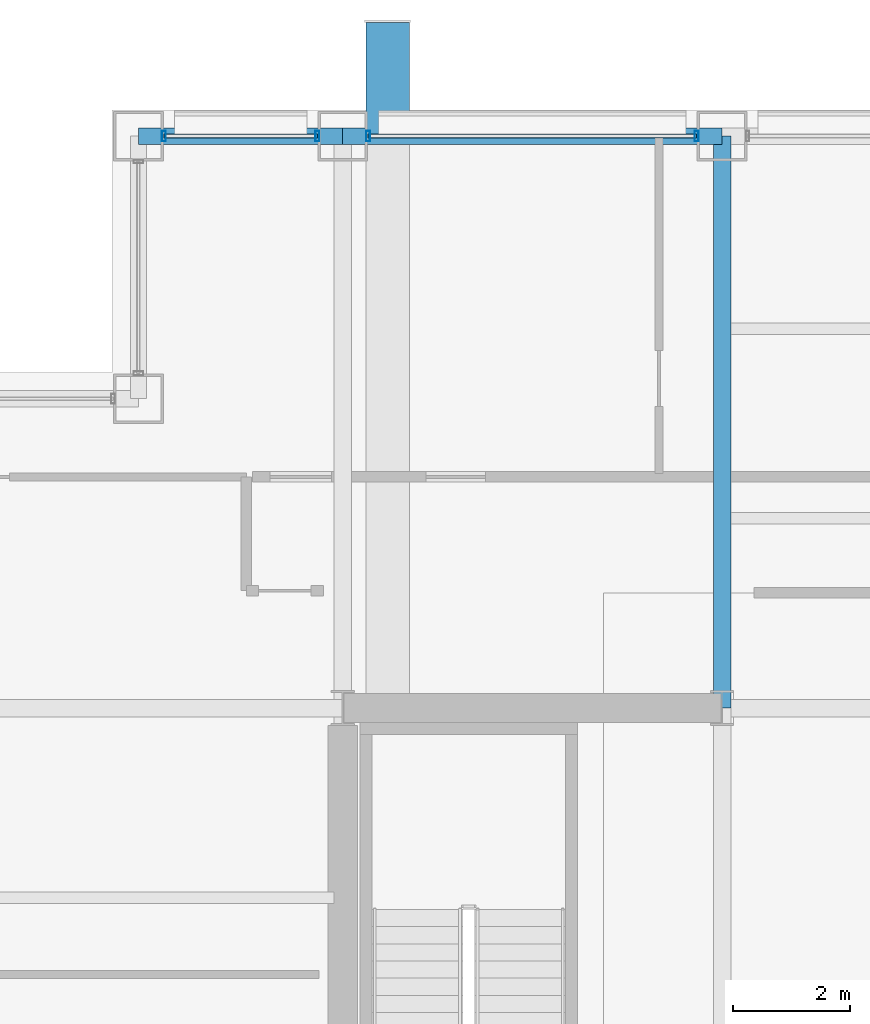
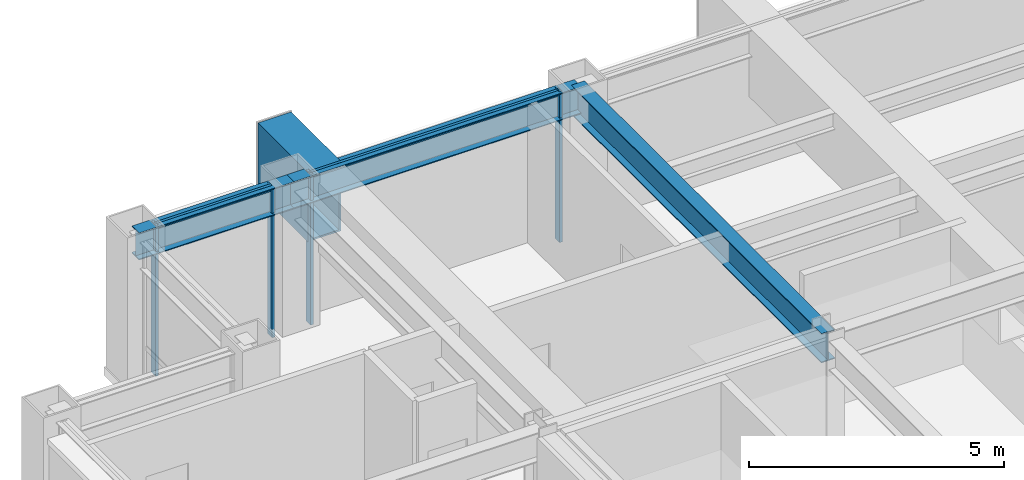
# One storey, part 22 of 34: 6 members, 4 beams, 2 elements without a shape of their own.
"""IFC4 building model written with IfcOpenShell, lengths in metres."""

from ifc_helpers import new_model, si_unit, direction, frame, origin, origin_2d, place, context, subcontext, project, spatial, hollow_rectangle, i_section, extrude, material, layer, layer_set, material_profile, profile_set, type_object, element, aggregate, save


model = new_model("IFC4")

# Units and contexts
model_context = context("Model", 3, precision=1e-05, world=origin(), true_north=direction((0.0, 1.0)))
body_context = subcontext(model_context, "Body", "Model", "MODEL_VIEW")
ifc_project = project(units=[si_unit("LENGTHUNIT", "METRE"), si_unit("AREAUNIT", "SQUARE_METRE"), si_unit("VOLUMEUNIT", "CUBIC_METRE"), si_unit("PLANEANGLEUNIT", "RADIAN"), si_unit("MASSUNIT", "GRAM", prefix="KILO")], contexts=[model_context])

# Site, building, storey
site_placement = place(None, origin())
site = spatial("IfcSite", under=ifc_project, at=site_placement, CompositionType="ELEMENT")
building_placement = place(site_placement, origin())
building = spatial("IfcBuilding", under=site, at=building_placement, Name="Brelmoor Portico Tower", CompositionType="ELEMENT")
storey_placement = place(building_placement, frame((0.0, 0.0, 117.0)))
storey = spatial("IfcBuildingStorey", under=building, at=storey_placement, Name="L30", CompositionType="ELEMENT", Elevation=117.0)

# Beams
ifc_material_1 = material(Name="Steel Q355B", Category="steel")
ifc_material_profile_1 = material_profile(ifc_material_1, hollow_rectangle(XDim=0.75, YDim=1.659912109375, WallThickness=0.0419921875, at=origin_2d()), Name="BOX 750x1660x42")
ifc_profile_set_1 = profile_set([ifc_material_profile_1], Name="Steel Q355B")
beam_type_1 = type_object("IfcBeamType", Name="BM-PF-CANT", PredefinedType="BEAM", material=ifc_profile_set_1)
beam_1_placement = place(storey_placement, frame((-13.780029296875, 19.550048828125, 2.570068359375), z_axis=(0.0, 1.0, 0.0), x_axis=(-1.0, 0.0, 0.0)))
element("IfcBeam", 1, at=beam_1_placement, inside=storey, type_object=beam_type_1, Name="L30 Picture-Frame Outrigger Transfer Cantilever PFB-01", PredefinedType="BEAM", context=body_context, shape_type="SweptSolid", body=[
    extrude(hollow_rectangle(XDim=0.75, YDim=1.659912109375, WallThickness=0.0419921875, at=origin_2d()), origin(), (0.0, 0.0, 1.0), 1.949951171875),
])
ifc_material_profile_2 = material_profile(ifc_material_1, i_section(OverallWidth=0.300048828125, OverallDepth=0.699951171875, WebThickness=0.012939453125, FlangeThickness=0.02392578125, at=origin_2d()), Name="HN 700x300x13x24")
ifc_profile_set_2 = profile_set([ifc_material_profile_2], Name="Steel Q355B")
beam_type_2 = type_object("IfcBeamType", Name="BM-PG-700", PredefinedType="BEAM", material=ifc_profile_set_2)
beam_2_placement = place(storey_placement, frame((-8.050048828125, 9.75, 3.050048828125), z_axis=(0.0, 1.0, 0.0), x_axis=(-1.0, 0.0, 0.0)))
element("IfcBeam", 2, at=beam_2_placement, inside=storey, type_object=beam_type_2, Name="L30 Primary Floor Girder PG-07", PredefinedType="BEAM", context=body_context, shape_type="SweptSolid", body=[
    extrude(i_section(OverallWidth=0.300048828125, OverallDepth=0.699951171875, WebThickness=0.012939453125, FlangeThickness=0.02392578125, at=origin_2d()), origin(), (0.0, 0.0, 1.0), 9.800048828125),
])
ifc_material_profile_3 = material_profile(ifc_material_1, i_section(OverallWidth=0.280029296875, OverallDepth=0.64990234375, WebThickness=0.012939453125, FlangeThickness=0.02197265625, at=origin_2d()), Name="HN 650x280x13x22")
ifc_profile_set_3 = profile_set([ifc_material_profile_3], Name="Steel Q355B")
beam_type_3 = type_object("IfcBeamType", Name="BM-SP-650", PredefinedType="SPANDREL", material=ifc_profile_set_3)
beam_3_placement = place(storey_placement, frame((-18.050048828125, 19.550048828125, 3.074951171875), z_axis=(1.0, 0.0, 0.0), x_axis=(0.0, 1.0, 0.0)))
element("IfcBeam", 3, at=beam_3_placement, inside=storey, type_object=beam_type_3, Name="L30 Perimeter Spandrel Beam SP-10", PredefinedType="SPANDREL", context=body_context, shape_type="SweptSolid", body=[
    extrude(i_section(OverallWidth=0.280029296875, OverallDepth=0.64990234375, WebThickness=0.012939453125, FlangeThickness=0.02197265625, at=origin_2d()), origin(), (0.0, 0.0, 1.0), 3.5),
])
beam_4_placement = place(storey_placement, frame((-14.550048828125, 19.550048828125, 3.074951171875), z_axis=(1.0, 0.0, 0.0), x_axis=(0.0, 1.0, 0.0)))
element("IfcBeam", 4, at=beam_4_placement, inside=storey, type_object=beam_type_3, Name="L30 Perimeter Spandrel Beam SP-11", PredefinedType="SPANDREL", context=body_context, shape_type="SweptSolid", body=[
    extrude(i_section(OverallWidth=0.280029296875, OverallDepth=0.64990234375, WebThickness=0.012939453125, FlangeThickness=0.02197265625, at=origin_2d()), origin(), (0.0, 0.0, 1.0), 6.5),
])

# Curtain wall, members
ifc_material_2 = material(Name="Anodised Aluminium Alloy 6063-T6", Category="aluminium")
ifc_layer = layer(ifc_material_2, 0.179931640625)
ifc_layer_set = layer_set([ifc_layer], Name="Anodised Aluminium Alloy 6063-T6")
curtain_wall_type = type_object("IfcCurtainWallType", Name="CW-TOWER-Z2-XB", PredefinedType="NOTDEFINED", material=ifc_layer_set)
curtain_wall_1_placement = place(storey_placement, origin())
curtain_wall_1 = element("IfcCurtainWall", 5, at=curtain_wall_1_placement, inside=storey, type_object=curtain_wall_type, Name="L30 Curtain Wall CW-L30-02-1", PredefinedType="NOTDEFINED")
ifc_material_profile_4 = material_profile(ifc_material_2, hollow_rectangle(XDim=0.06494140625, YDim=0.179931640625, WallThickness=0.00390625, at=origin_2d()), Name="ALU MULLION 65x180")
ifc_profile_set_4 = profile_set([ifc_material_profile_4], Name="Anodised Aluminium Alloy 6063-T6")
member_type_1 = type_object("IfcMemberType", Name="MB-CW-MULL-180", PredefinedType="MULLION", material=ifc_profile_set_4)
member_1_placement = place(storey_placement, frame((-17.614990234375, 19.550048828125, -0.199951171875), z_axis=(0.0, 0.0, 1.0), x_axis=(1.0, 0.0, 0.0)))
member_1 = element("IfcMember", 6, at=member_1_placement, type_object=member_type_1, Name="CW-L30-02-1 Mullion 00", PredefinedType="MULLION", context=body_context, shape_type="SweptSolid", body=[
    extrude(hollow_rectangle(XDim=0.06494140625, YDim=0.179931640625, WallThickness=0.00390625, at=origin_2d()), origin(), (0.0, 0.0, 1.0), 3.599853515625),
])
member_2_placement = place(storey_placement, frame((-14.985107421875, 19.550048828125, -0.199951171875), z_axis=(0.0, 0.0, 1.0), x_axis=(1.0, 0.0, 0.0)))
member_2 = element("IfcMember", 7, at=member_2_placement, type_object=member_type_1, Name="CW-L30-02-1 Mullion 01", PredefinedType="MULLION", context=body_context, shape_type="SweptSolid", body=[
    extrude(hollow_rectangle(XDim=0.06494140625, YDim=0.179931640625, WallThickness=0.00390625, at=origin_2d()), origin(), (0.0, 0.0, 1.0), 3.599853515625),
])

curtain_wall_2_placement = place(storey_placement, origin())
curtain_wall_2 = element("IfcCurtainWall", 8, at=curtain_wall_2_placement, inside=storey, type_object=curtain_wall_type, Name="L30 Curtain Wall CW-L30-02-2", PredefinedType="NOTDEFINED")
member_3_placement = place(storey_placement, frame((-14.114990234375, 19.550048828125, -0.199951171875), z_axis=(0.0, 0.0, 1.0), x_axis=(1.0, 0.0, 0.0)))
member_3 = element("IfcMember", 9, at=member_3_placement, type_object=member_type_1, Name="CW-L30-02-2 Mullion 00", PredefinedType="MULLION", context=body_context, shape_type="SweptSolid", body=[
    extrude(hollow_rectangle(XDim=0.06494140625, YDim=0.179931640625, WallThickness=0.00390625, at=origin_2d()), origin(), (0.0, 0.0, 1.0), 3.599853515625),
])
member_4_placement = place(storey_placement, frame((-8.485107421875, 19.550048828125, -0.199951171875), z_axis=(0.0, 0.0, 1.0), x_axis=(1.0, 0.0, 0.0)))
member_4 = element("IfcMember", 10, at=member_4_placement, type_object=member_type_1, Name="CW-L30-02-2 Mullion 01", PredefinedType="MULLION", context=body_context, shape_type="SweptSolid", body=[
    extrude(hollow_rectangle(XDim=0.06494140625, YDim=0.179931640625, WallThickness=0.00390625, at=origin_2d()), origin(), (0.0, 0.0, 1.0), 3.599853515625),
])

# Member
ifc_material_profile_5 = material_profile(ifc_material_2, hollow_rectangle(XDim=0.06494140625, YDim=0.139892578125, WallThickness=0.00390625, at=origin_2d()), Name="ALU TRANSOM 65x140")
ifc_profile_set_5 = profile_set([ifc_material_profile_5], Name="Anodised Aluminium Alloy 6063-T6")
member_type_2 = type_object("IfcMemberType", Name="MB-CW-TRAN-140", PredefinedType="USERDEFINED", material=ifc_profile_set_5)
member_5_placement = place(storey_placement, frame((-17.614990234375, 19.550048828125, 3.330078125), z_axis=(1.0, 0.0, 0.0), x_axis=(0.0, 1.0, 0.0)))
member_5 = element("IfcMember", 11, at=member_5_placement, type_object=member_type_2, Name="CW-L30-02-1 Transom 1-00", ObjectType="TRANSOM", PredefinedType="USERDEFINED", context=body_context, shape_type="SweptSolid", body=[
    extrude(hollow_rectangle(XDim=0.06494140625, YDim=0.139892578125, WallThickness=0.00390625, at=origin_2d()), origin(), (0.0, 0.0, 1.0), 2.6298828125),
])

aggregate(curtain_wall_1, [member_1, member_2, member_5])

member_6_placement = place(storey_placement, frame((-14.114990234375, 19.550048828125, 3.330078125), z_axis=(1.0, 0.0, 0.0), x_axis=(0.0, 1.0, 0.0)))
member_6 = element("IfcMember", 12, at=member_6_placement, type_object=member_type_2, Name="CW-L30-02-2 Transom 1-00", ObjectType="TRANSOM", PredefinedType="USERDEFINED", context=body_context, shape_type="SweptSolid", body=[
    extrude(hollow_rectangle(XDim=0.06494140625, YDim=0.139892578125, WallThickness=0.00390625, at=origin_2d()), origin(), (0.0, 0.0, 1.0), 5.6298828125),
])

aggregate(curtain_wall_2, [member_3, member_4, member_6])

save(model, "model.ifc")
